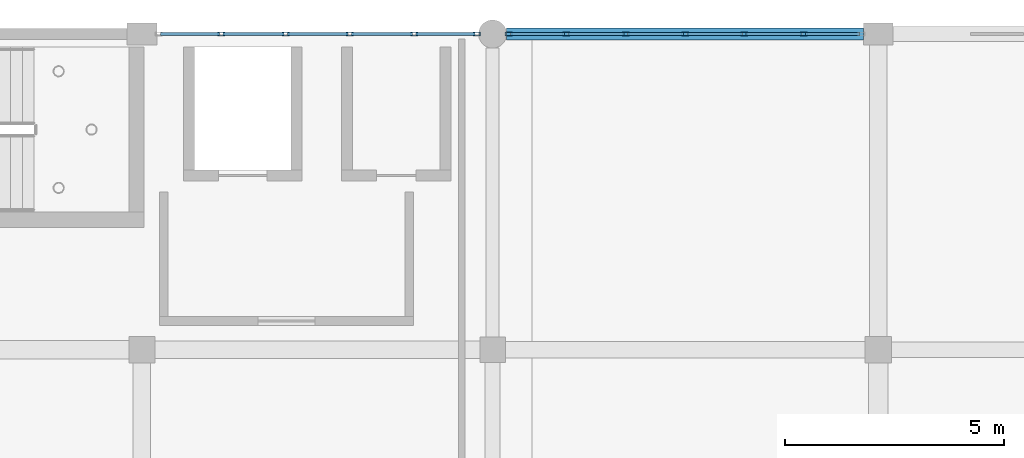
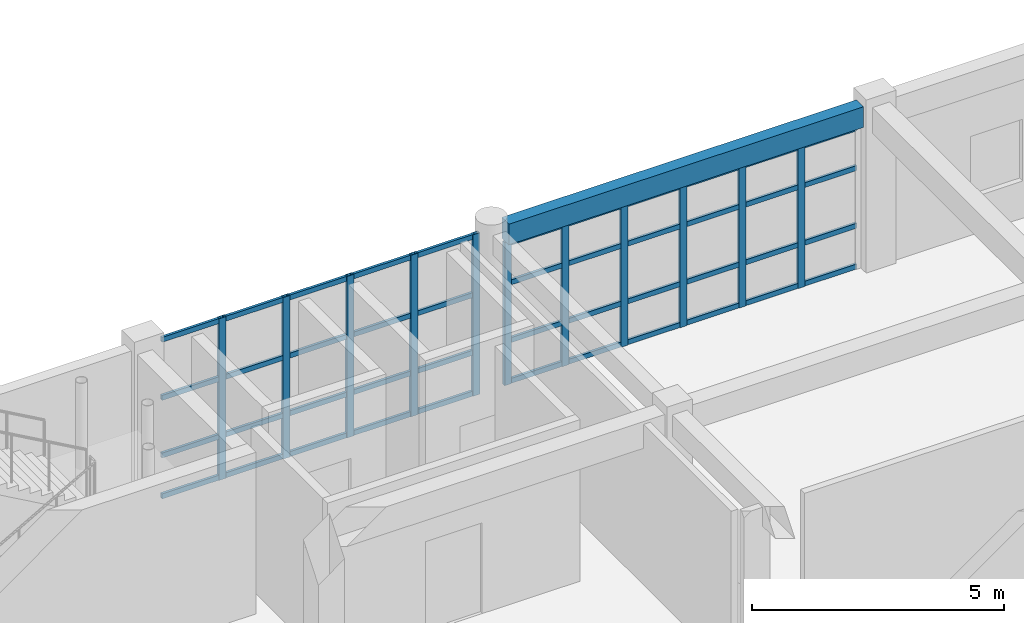
# One storey, part 15 of 53: 55 members, 1 beam, 2 elements without a shape of their own.
"""IFC4 building model written with IfcOpenShell, lengths in metres."""

from ifc_helpers import new_model, si_unit, direction, frame, origin, origin_2d, place, context, subcontext, project, spatial, rectangle, hollow_rectangle, extrude, material, material_profile, profile_set, type_object, element, aggregate, save


model = new_model("IFC4")

# Units and contexts
model_context = context("Model", 3, precision=1e-05, world=origin(), true_north=direction((0.0, 1.0)))
body_context = subcontext(model_context, "Body", "Model", "MODEL_VIEW")
ifc_project = project(units=[si_unit("LENGTHUNIT", "METRE"), si_unit("AREAUNIT", "SQUARE_METRE"), si_unit("VOLUMEUNIT", "CUBIC_METRE"), si_unit("PLANEANGLEUNIT", "RADIAN"), si_unit("MASSUNIT", "GRAM", prefix="KILO")], contexts=[model_context])

# Site, building, storey
site_placement = place(None, origin())
site = spatial("IfcSite", under=ifc_project, at=site_placement, CompositionType="ELEMENT")
building_placement = place(site_placement, origin())
building = spatial("IfcBuilding", under=site, at=building_placement, Name="Kharva Crest Polytechnic", CompositionType="ELEMENT")
storey_placement = place(building_placement, frame((0.0, 0.0, 17.39990234375)))
storey = spatial("IfcBuildingStorey", under=building, at=storey_placement, Name="L04", CompositionType="ELEMENT", Elevation=17.39990234375)

# Curtain wall, members
ifc_material_1 = material(Name="Tempered insulated glass", Category="glass")
curtain_wall_type = type_object("IfcCurtainWallType", Name="CW-SYS-STUDIO", PredefinedType="USERDEFINED", material=ifc_material_1)
curtain_wall_1_placement = place(storey_placement, origin())
curtain_wall_1 = element("IfcCurtainWall", 1, at=curtain_wall_1_placement, inside=storey, type_object=curtain_wall_type, Name="L04 Glazed Curtain Wall CW-176", ObjectType="CURTAIN WALL", PredefinedType="USERDEFINED")
ifc_material_2 = material(Name="Steel S355", Category="steel")
ifc_material_profile_1 = material_profile(ifc_material_2, hollow_rectangle(XDim=0.080078125, YDim=0.159912109375, WallThickness=0.0048828125, at=origin_2d()), Name="RHS 160X80X5.0")
ifc_profile_set_1 = profile_set([ifc_material_profile_1], Name="Steel S355")
member_type_1 = type_object("IfcMemberType", Name="CWM-RHS160X80", PredefinedType="MULLION", material=ifc_profile_set_1)
member_1_placement = place(storey_placement, frame((127.10009765625, 122.0, 0.0), z_axis=(0.0, 0.0, 1.0), x_axis=(0.0, -1.0, 0.0)))
member_1 = element("IfcMember", 2, at=member_1_placement, type_object=member_type_1, Name="CW-176 mullion 2", PredefinedType="MULLION", context=body_context, shape_type="SweptSolid", body=[
    extrude(hollow_rectangle(XDim=0.080078125, YDim=0.159912109375, WallThickness=0.0048828125, at=origin_2d()), origin(), (0.0, 0.0, 1.0), 3.47021484375),
])
member_2_placement = place(storey_placement, frame((125.7451171875, 122.0, 0.0), z_axis=(0.0, 0.0, 1.0), x_axis=(0.0, -1.0, 0.0)))
member_2 = element("IfcMember", 3, at=member_2_placement, type_object=member_type_1, Name="CW-176 mullion 3", PredefinedType="MULLION", context=body_context, shape_type="SweptSolid", body=[
    extrude(hollow_rectangle(XDim=0.080078125, YDim=0.159912109375, WallThickness=0.0048828125, at=origin_2d()), origin(), (0.0, 0.0, 1.0), 3.47021484375),
])
member_3_placement = place(storey_placement, frame((124.389892578125, 122.0, 0.0), z_axis=(0.0, 0.0, 1.0), x_axis=(0.0, -1.0, 0.0)))
member_3 = element("IfcMember", 4, at=member_3_placement, type_object=member_type_1, Name="CW-176 mullion 4", PredefinedType="MULLION", context=body_context, shape_type="SweptSolid", body=[
    extrude(hollow_rectangle(XDim=0.080078125, YDim=0.159912109375, WallThickness=0.0048828125, at=origin_2d()), origin(), (0.0, 0.0, 1.0), 3.47021484375),
])
member_4_placement = place(storey_placement, frame((123.034912109375, 122.0, 0.0), z_axis=(0.0, 0.0, 1.0), x_axis=(0.0, -1.0, 0.0)))
member_4 = element("IfcMember", 5, at=member_4_placement, type_object=member_type_1, Name="CW-176 mullion 5", PredefinedType="MULLION", context=body_context, shape_type="SweptSolid", body=[
    extrude(hollow_rectangle(XDim=0.080078125, YDim=0.159912109375, WallThickness=0.0048828125, at=origin_2d()), origin(), (0.0, 0.0, 1.0), 3.47021484375),
])
member_5_placement = place(storey_placement, frame((121.679931640625, 122.0, 0.0), z_axis=(0.0, 0.0, 1.0), x_axis=(0.0, -1.0, 0.0)))
member_5 = element("IfcMember", 6, at=member_5_placement, type_object=member_type_1, Name="CW-176 mullion 6", PredefinedType="MULLION", context=body_context, shape_type="SweptSolid", body=[
    extrude(hollow_rectangle(XDim=0.080078125, YDim=0.159912109375, WallThickness=0.0048828125, at=origin_2d()), origin(), (0.0, 0.0, 1.0), 3.47021484375),
])
member_6_placement = place(storey_placement, frame((120.364990234375, 122.0, 0.0), z_axis=(0.0, 0.0, 1.0), x_axis=(0.0, -1.0, 0.0)))
member_6 = element("IfcMember", 7, at=member_6_placement, type_object=member_type_1, Name="CW-176 mullion 7", PredefinedType="MULLION", context=body_context, shape_type="SweptSolid", body=[
    extrude(hollow_rectangle(XDim=0.080078125, YDim=0.159912109375, WallThickness=0.0048828125, at=origin_2d()), origin(), (0.0, 0.0, 1.0), 3.47021484375),
])

curtain_wall_2_placement = place(storey_placement, origin())
curtain_wall_2 = element("IfcCurtainWall", 8, at=curtain_wall_2_placement, inside=storey, type_object=curtain_wall_type, Name="L04 Glazed Curtain Wall CW-177", ObjectType="CURTAIN WALL", PredefinedType="USERDEFINED")
member_7_placement = place(storey_placement, frame((119.635009765625, 122.0, 0.0), z_axis=(0.0, 0.0, 1.0), x_axis=(0.0, -1.0, 0.0)))
member_7 = element("IfcMember", 9, at=member_7_placement, type_object=member_type_1, Name="CW-177 mullion 1", PredefinedType="MULLION", context=body_context, shape_type="SweptSolid", body=[
    extrude(hollow_rectangle(XDim=0.080078125, YDim=0.159912109375, WallThickness=0.0048828125, at=origin_2d()), origin(), (0.0, 0.0, 1.0), 3.920166015625),
])
member_8_placement = place(storey_placement, frame((118.208984375, 122.0, 0.0), z_axis=(0.0, 0.0, 1.0), x_axis=(0.0, -1.0, 0.0)))
member_8 = element("IfcMember", 10, at=member_8_placement, type_object=member_type_1, Name="CW-177 mullion 2", PredefinedType="MULLION", context=body_context, shape_type="SweptSolid", body=[
    extrude(hollow_rectangle(XDim=0.080078125, YDim=0.159912109375, WallThickness=0.0048828125, at=origin_2d()), origin(), (0.0, 0.0, 1.0), 3.920166015625),
])
member_9_placement = place(storey_placement, frame((116.742919921875, 122.0, 0.0), z_axis=(0.0, 0.0, 1.0), x_axis=(0.0, -1.0, 0.0)))
member_9 = element("IfcMember", 11, at=member_9_placement, type_object=member_type_1, Name="CW-177 mullion 3", PredefinedType="MULLION", context=body_context, shape_type="SweptSolid", body=[
    extrude(hollow_rectangle(XDim=0.080078125, YDim=0.159912109375, WallThickness=0.0048828125, at=origin_2d()), origin(), (0.0, 0.0, 1.0), 3.920166015625),
])
member_10_placement = place(storey_placement, frame((115.277099609375, 122.0, 0.0), z_axis=(0.0, 0.0, 1.0), x_axis=(0.0, -1.0, 0.0)))
member_10 = element("IfcMember", 12, at=member_10_placement, type_object=member_type_1, Name="CW-177 mullion 4", PredefinedType="MULLION", context=body_context, shape_type="SweptSolid", body=[
    extrude(hollow_rectangle(XDim=0.080078125, YDim=0.159912109375, WallThickness=0.0048828125, at=origin_2d()), origin(), (0.0, 0.0, 1.0), 3.920166015625),
])
member_11_placement = place(storey_placement, frame((113.81103515625, 122.0, 0.0), z_axis=(0.0, 0.0, 1.0), x_axis=(0.0, -1.0, 0.0)))
member_11 = element("IfcMember", 13, at=member_11_placement, type_object=member_type_1, Name="CW-177 mullion 5", PredefinedType="MULLION", context=body_context, shape_type="SweptSolid", body=[
    extrude(hollow_rectangle(XDim=0.080078125, YDim=0.159912109375, WallThickness=0.0048828125, at=origin_2d()), origin(), (0.0, 0.0, 1.0), 3.920166015625),
])

# Member
ifc_material_profile_2 = material_profile(ifc_material_2, hollow_rectangle(XDim=0.06005859375, YDim=0.1201171875, WallThickness=0.00390625, at=origin_2d()), Name="RHS 120X60X4.0")
ifc_profile_set_2 = profile_set([ifc_material_profile_2], Name="Steel S355")
member_type_2 = type_object("IfcMemberType", Name="CWT-RHS120X60", PredefinedType="USERDEFINED", material=ifc_profile_set_2)
member_12_placement = place(storey_placement, frame((128.375, 122.0, 0.06005859375), z_axis=(-1.0, 0.0, 0.0), x_axis=(0.0, -1.0, 0.0)))
member_12 = element("IfcMember", 14, at=member_12_placement, type_object=member_type_2, Name="CW-176 transom 1.1", ObjectType="TRANSOM", PredefinedType="USERDEFINED", context=body_context, shape_type="SweptSolid", body=[
    extrude(hollow_rectangle(XDim=0.06005859375, YDim=0.1201171875, WallThickness=0.00390625, at=origin_2d()), origin(), (0.0, 0.0, 1.0), 1.235107421875),
])

member_13_placement = place(storey_placement, frame((128.375, 122.0, 1.050048828125), z_axis=(-1.0, 0.0, 0.0), x_axis=(0.0, -1.0, 0.0)))
member_13 = element("IfcMember", 15, at=member_13_placement, type_object=member_type_2, Name="CW-176 transom 1.2", ObjectType="TRANSOM", PredefinedType="USERDEFINED", context=body_context, shape_type="SweptSolid", body=[
    extrude(hollow_rectangle(XDim=0.06005859375, YDim=0.1201171875, WallThickness=0.00390625, at=origin_2d()), origin(), (0.0, 0.0, 1.0), 1.235107421875),
])

member_14_placement = place(storey_placement, frame((128.375, 122.0, 2.4501953125), z_axis=(-1.0, 0.0, 0.0), x_axis=(0.0, -1.0, 0.0)))
member_14 = element("IfcMember", 16, at=member_14_placement, type_object=member_type_2, Name="CW-176 transom 1.3", ObjectType="TRANSOM", PredefinedType="USERDEFINED", context=body_context, shape_type="SweptSolid", body=[
    extrude(hollow_rectangle(XDim=0.06005859375, YDim=0.1201171875, WallThickness=0.00390625, at=origin_2d()), origin(), (0.0, 0.0, 1.0), 1.235107421875),
])

member_15_placement = place(storey_placement, frame((128.375, 122.0, 3.41015625), z_axis=(-1.0, 0.0, 0.0), x_axis=(0.0, -1.0, 0.0)))
member_15 = element("IfcMember", 17, at=member_15_placement, type_object=member_type_2, Name="CW-176 transom 1.4", ObjectType="TRANSOM", PredefinedType="USERDEFINED", context=body_context, shape_type="SweptSolid", body=[
    extrude(hollow_rectangle(XDim=0.06005859375, YDim=0.1201171875, WallThickness=0.00390625, at=origin_2d()), origin(), (0.0, 0.0, 1.0), 1.235107421875),
])

member_16_placement = place(storey_placement, frame((127.06005859375, 122.0, 0.06005859375), z_axis=(-1.0, 0.0, 0.0), x_axis=(0.0, -1.0, 0.0)))
member_16 = element("IfcMember", 18, at=member_16_placement, type_object=member_type_2, Name="CW-176 transom 2.1", ObjectType="TRANSOM", PredefinedType="USERDEFINED", context=body_context, shape_type="SweptSolid", body=[
    extrude(hollow_rectangle(XDim=0.06005859375, YDim=0.1201171875, WallThickness=0.00390625, at=origin_2d()), origin(), (0.0, 0.0, 1.0), 1.275146484375),
])

member_17_placement = place(storey_placement, frame((127.06005859375, 122.0, 1.050048828125), z_axis=(-1.0, 0.0, 0.0), x_axis=(0.0, -1.0, 0.0)))
member_17 = element("IfcMember", 19, at=member_17_placement, type_object=member_type_2, Name="CW-176 transom 2.2", ObjectType="TRANSOM", PredefinedType="USERDEFINED", context=body_context, shape_type="SweptSolid", body=[
    extrude(hollow_rectangle(XDim=0.06005859375, YDim=0.1201171875, WallThickness=0.00390625, at=origin_2d()), origin(), (0.0, 0.0, 1.0), 1.275146484375),
])

member_18_placement = place(storey_placement, frame((127.06005859375, 122.0, 2.4501953125), z_axis=(-1.0, 0.0, 0.0), x_axis=(0.0, -1.0, 0.0)))
member_18 = element("IfcMember", 20, at=member_18_placement, type_object=member_type_2, Name="CW-176 transom 2.3", ObjectType="TRANSOM", PredefinedType="USERDEFINED", context=body_context, shape_type="SweptSolid", body=[
    extrude(hollow_rectangle(XDim=0.06005859375, YDim=0.1201171875, WallThickness=0.00390625, at=origin_2d()), origin(), (0.0, 0.0, 1.0), 1.275146484375),
])

member_19_placement = place(storey_placement, frame((127.06005859375, 122.0, 3.41015625), z_axis=(-1.0, 0.0, 0.0), x_axis=(0.0, -1.0, 0.0)))
member_19 = element("IfcMember", 21, at=member_19_placement, type_object=member_type_2, Name="CW-176 transom 2.4", ObjectType="TRANSOM", PredefinedType="USERDEFINED", context=body_context, shape_type="SweptSolid", body=[
    extrude(hollow_rectangle(XDim=0.06005859375, YDim=0.1201171875, WallThickness=0.00390625, at=origin_2d()), origin(), (0.0, 0.0, 1.0), 1.275146484375),
])

member_20_placement = place(storey_placement, frame((125.705078125, 122.0, 0.06005859375), z_axis=(-1.0, 0.0, 0.0), x_axis=(0.0, -1.0, 0.0)))
member_20 = element("IfcMember", 22, at=member_20_placement, type_object=member_type_2, Name="CW-176 transom 3.1", ObjectType="TRANSOM", PredefinedType="USERDEFINED", context=body_context, shape_type="SweptSolid", body=[
    extrude(hollow_rectangle(XDim=0.06005859375, YDim=0.1201171875, WallThickness=0.00390625, at=origin_2d()), origin(), (0.0, 0.0, 1.0), 1.275146484375),
])

member_21_placement = place(storey_placement, frame((125.705078125, 122.0, 1.050048828125), z_axis=(-1.0, 0.0, 0.0), x_axis=(0.0, -1.0, 0.0)))
member_21 = element("IfcMember", 23, at=member_21_placement, type_object=member_type_2, Name="CW-176 transom 3.2", ObjectType="TRANSOM", PredefinedType="USERDEFINED", context=body_context, shape_type="SweptSolid", body=[
    extrude(hollow_rectangle(XDim=0.06005859375, YDim=0.1201171875, WallThickness=0.00390625, at=origin_2d()), origin(), (0.0, 0.0, 1.0), 1.275146484375),
])

member_22_placement = place(storey_placement, frame((125.705078125, 122.0, 2.4501953125), z_axis=(-1.0, 0.0, 0.0), x_axis=(0.0, -1.0, 0.0)))
member_22 = element("IfcMember", 24, at=member_22_placement, type_object=member_type_2, Name="CW-176 transom 3.3", ObjectType="TRANSOM", PredefinedType="USERDEFINED", context=body_context, shape_type="SweptSolid", body=[
    extrude(hollow_rectangle(XDim=0.06005859375, YDim=0.1201171875, WallThickness=0.00390625, at=origin_2d()), origin(), (0.0, 0.0, 1.0), 1.275146484375),
])

member_23_placement = place(storey_placement, frame((125.705078125, 122.0, 3.41015625), z_axis=(-1.0, 0.0, 0.0), x_axis=(0.0, -1.0, 0.0)))
member_23 = element("IfcMember", 25, at=member_23_placement, type_object=member_type_2, Name="CW-176 transom 3.4", ObjectType="TRANSOM", PredefinedType="USERDEFINED", context=body_context, shape_type="SweptSolid", body=[
    extrude(hollow_rectangle(XDim=0.06005859375, YDim=0.1201171875, WallThickness=0.00390625, at=origin_2d()), origin(), (0.0, 0.0, 1.0), 1.275146484375),
])

member_24_placement = place(storey_placement, frame((124.35009765625, 122.0, 0.06005859375), z_axis=(-1.0, 0.0, 0.0), x_axis=(0.0, -1.0, 0.0)))
member_24 = element("IfcMember", 26, at=member_24_placement, type_object=member_type_2, Name="CW-176 transom 4.1", ObjectType="TRANSOM", PredefinedType="USERDEFINED", context=body_context, shape_type="SweptSolid", body=[
    extrude(hollow_rectangle(XDim=0.06005859375, YDim=0.1201171875, WallThickness=0.00390625, at=origin_2d()), origin(), (0.0, 0.0, 1.0), 1.275146484375),
])

member_25_placement = place(storey_placement, frame((124.35009765625, 122.0, 1.050048828125), z_axis=(-1.0, 0.0, 0.0), x_axis=(0.0, -1.0, 0.0)))
member_25 = element("IfcMember", 27, at=member_25_placement, type_object=member_type_2, Name="CW-176 transom 4.2", ObjectType="TRANSOM", PredefinedType="USERDEFINED", context=body_context, shape_type="SweptSolid", body=[
    extrude(hollow_rectangle(XDim=0.06005859375, YDim=0.1201171875, WallThickness=0.00390625, at=origin_2d()), origin(), (0.0, 0.0, 1.0), 1.275146484375),
])

member_26_placement = place(storey_placement, frame((124.35009765625, 122.0, 2.4501953125), z_axis=(-1.0, 0.0, 0.0), x_axis=(0.0, -1.0, 0.0)))
member_26 = element("IfcMember", 28, at=member_26_placement, type_object=member_type_2, Name="CW-176 transom 4.3", ObjectType="TRANSOM", PredefinedType="USERDEFINED", context=body_context, shape_type="SweptSolid", body=[
    extrude(hollow_rectangle(XDim=0.06005859375, YDim=0.1201171875, WallThickness=0.00390625, at=origin_2d()), origin(), (0.0, 0.0, 1.0), 1.275146484375),
])

member_27_placement = place(storey_placement, frame((124.35009765625, 122.0, 3.41015625), z_axis=(-1.0, 0.0, 0.0), x_axis=(0.0, -1.0, 0.0)))
member_27 = element("IfcMember", 29, at=member_27_placement, type_object=member_type_2, Name="CW-176 transom 4.4", ObjectType="TRANSOM", PredefinedType="USERDEFINED", context=body_context, shape_type="SweptSolid", body=[
    extrude(hollow_rectangle(XDim=0.06005859375, YDim=0.1201171875, WallThickness=0.00390625, at=origin_2d()), origin(), (0.0, 0.0, 1.0), 1.275146484375),
])

member_28_placement = place(storey_placement, frame((122.9951171875, 122.0, 0.06005859375), z_axis=(-1.0, 0.0, 0.0), x_axis=(0.0, -1.0, 0.0)))
member_28 = element("IfcMember", 30, at=member_28_placement, type_object=member_type_2, Name="CW-176 transom 5.1", ObjectType="TRANSOM", PredefinedType="USERDEFINED", context=body_context, shape_type="SweptSolid", body=[
    extrude(hollow_rectangle(XDim=0.06005859375, YDim=0.1201171875, WallThickness=0.00390625, at=origin_2d()), origin(), (0.0, 0.0, 1.0), 1.275146484375),
])

member_29_placement = place(storey_placement, frame((122.9951171875, 122.0, 1.050048828125), z_axis=(-1.0, 0.0, 0.0), x_axis=(0.0, -1.0, 0.0)))
member_29 = element("IfcMember", 31, at=member_29_placement, type_object=member_type_2, Name="CW-176 transom 5.2", ObjectType="TRANSOM", PredefinedType="USERDEFINED", context=body_context, shape_type="SweptSolid", body=[
    extrude(hollow_rectangle(XDim=0.06005859375, YDim=0.1201171875, WallThickness=0.00390625, at=origin_2d()), origin(), (0.0, 0.0, 1.0), 1.275146484375),
])

member_30_placement = place(storey_placement, frame((122.9951171875, 122.0, 2.4501953125), z_axis=(-1.0, 0.0, 0.0), x_axis=(0.0, -1.0, 0.0)))
member_30 = element("IfcMember", 32, at=member_30_placement, type_object=member_type_2, Name="CW-176 transom 5.3", ObjectType="TRANSOM", PredefinedType="USERDEFINED", context=body_context, shape_type="SweptSolid", body=[
    extrude(hollow_rectangle(XDim=0.06005859375, YDim=0.1201171875, WallThickness=0.00390625, at=origin_2d()), origin(), (0.0, 0.0, 1.0), 1.275146484375),
])

member_31_placement = place(storey_placement, frame((122.9951171875, 122.0, 3.41015625), z_axis=(-1.0, 0.0, 0.0), x_axis=(0.0, -1.0, 0.0)))
member_31 = element("IfcMember", 33, at=member_31_placement, type_object=member_type_2, Name="CW-176 transom 5.4", ObjectType="TRANSOM", PredefinedType="USERDEFINED", context=body_context, shape_type="SweptSolid", body=[
    extrude(hollow_rectangle(XDim=0.06005859375, YDim=0.1201171875, WallThickness=0.00390625, at=origin_2d()), origin(), (0.0, 0.0, 1.0), 1.275146484375),
])

member_32_placement = place(storey_placement, frame((121.639892578125, 122.0, 0.06005859375), z_axis=(-1.0, 0.0, 0.0), x_axis=(0.0, -1.0, 0.0)))
member_32 = element("IfcMember", 34, at=member_32_placement, type_object=member_type_2, Name="CW-176 transom 6.1", ObjectType="TRANSOM", PredefinedType="USERDEFINED", context=body_context, shape_type="SweptSolid", body=[
    extrude(hollow_rectangle(XDim=0.06005859375, YDim=0.1201171875, WallThickness=0.00390625, at=origin_2d()), origin(), (0.0, 0.0, 1.0), 1.23486328125),
])

member_33_placement = place(storey_placement, frame((121.639892578125, 122.0, 1.050048828125), z_axis=(-1.0, 0.0, 0.0), x_axis=(0.0, -1.0, 0.0)))
member_33 = element("IfcMember", 35, at=member_33_placement, type_object=member_type_2, Name="CW-176 transom 6.2", ObjectType="TRANSOM", PredefinedType="USERDEFINED", context=body_context, shape_type="SweptSolid", body=[
    extrude(hollow_rectangle(XDim=0.06005859375, YDim=0.1201171875, WallThickness=0.00390625, at=origin_2d()), origin(), (0.0, 0.0, 1.0), 1.23486328125),
])

member_34_placement = place(storey_placement, frame((121.639892578125, 122.0, 2.4501953125), z_axis=(-1.0, 0.0, 0.0), x_axis=(0.0, -1.0, 0.0)))
member_34 = element("IfcMember", 36, at=member_34_placement, type_object=member_type_2, Name="CW-176 transom 6.3", ObjectType="TRANSOM", PredefinedType="USERDEFINED", context=body_context, shape_type="SweptSolid", body=[
    extrude(hollow_rectangle(XDim=0.06005859375, YDim=0.1201171875, WallThickness=0.00390625, at=origin_2d()), origin(), (0.0, 0.0, 1.0), 1.23486328125),
])

member_35_placement = place(storey_placement, frame((121.639892578125, 122.0, 3.41015625), z_axis=(-1.0, 0.0, 0.0), x_axis=(0.0, -1.0, 0.0)))
member_35 = element("IfcMember", 37, at=member_35_placement, type_object=member_type_2, Name="CW-176 transom 6.4", ObjectType="TRANSOM", PredefinedType="USERDEFINED", context=body_context, shape_type="SweptSolid", body=[
    extrude(hollow_rectangle(XDim=0.06005859375, YDim=0.1201171875, WallThickness=0.00390625, at=origin_2d()), origin(), (0.0, 0.0, 1.0), 1.23486328125),
])

aggregate(curtain_wall_1, [member_1, member_2, member_3, member_4, member_5, member_6, member_12, member_13, member_14, member_15, member_16, member_17, member_18, member_19, member_20, member_21, member_22, member_23, member_24, member_25, member_26, member_27, member_28, member_29, member_30, member_31, member_32, member_33, member_34, member_35])

member_36_placement = place(storey_placement, frame((119.594970703125, 122.0, 0.06005859375), z_axis=(-1.0, 0.0, 0.0), x_axis=(0.0, -1.0, 0.0)))
member_36 = element("IfcMember", 38, at=member_36_placement, type_object=member_type_2, Name="CW-177 transom 1.1", ObjectType="TRANSOM", PredefinedType="USERDEFINED", context=body_context, shape_type="SweptSolid", body=[
    extrude(hollow_rectangle(XDim=0.06005859375, YDim=0.1201171875, WallThickness=0.00390625, at=origin_2d()), origin(), (0.0, 0.0, 1.0), 1.345947265625),
])

member_37_placement = place(storey_placement, frame((119.594970703125, 122.0, 1.050048828125), z_axis=(-1.0, 0.0, 0.0), x_axis=(0.0, -1.0, 0.0)))
member_37 = element("IfcMember", 39, at=member_37_placement, type_object=member_type_2, Name="CW-177 transom 1.2", ObjectType="TRANSOM", PredefinedType="USERDEFINED", context=body_context, shape_type="SweptSolid", body=[
    extrude(hollow_rectangle(XDim=0.06005859375, YDim=0.1201171875, WallThickness=0.00390625, at=origin_2d()), origin(), (0.0, 0.0, 1.0), 1.345947265625),
])

member_38_placement = place(storey_placement, frame((119.594970703125, 122.0, 2.4501953125), z_axis=(-1.0, 0.0, 0.0), x_axis=(0.0, -1.0, 0.0)))
member_38 = element("IfcMember", 40, at=member_38_placement, type_object=member_type_2, Name="CW-177 transom 1.3", ObjectType="TRANSOM", PredefinedType="USERDEFINED", context=body_context, shape_type="SweptSolid", body=[
    extrude(hollow_rectangle(XDim=0.06005859375, YDim=0.1201171875, WallThickness=0.00390625, at=origin_2d()), origin(), (0.0, 0.0, 1.0), 1.345947265625),
])

member_39_placement = place(storey_placement, frame((119.594970703125, 122.0, 3.860107421875), z_axis=(-1.0, 0.0, 0.0), x_axis=(0.0, -1.0, 0.0)))
member_39 = element("IfcMember", 41, at=member_39_placement, type_object=member_type_2, Name="CW-177 transom 1.4", ObjectType="TRANSOM", PredefinedType="USERDEFINED", context=body_context, shape_type="SweptSolid", body=[
    extrude(hollow_rectangle(XDim=0.06005859375, YDim=0.1201171875, WallThickness=0.00390625, at=origin_2d()), origin(), (0.0, 0.0, 1.0), 1.345947265625),
])

member_40_placement = place(storey_placement, frame((118.1689453125, 122.0, 0.06005859375), z_axis=(-1.0, 0.0, 0.0), x_axis=(0.0, -1.0, 0.0)))
member_40 = element("IfcMember", 42, at=member_40_placement, type_object=member_type_2, Name="CW-177 transom 2.1", ObjectType="TRANSOM", PredefinedType="USERDEFINED", context=body_context, shape_type="SweptSolid", body=[
    extrude(hollow_rectangle(XDim=0.06005859375, YDim=0.1201171875, WallThickness=0.00390625, at=origin_2d()), origin(), (0.0, 0.0, 1.0), 1.385986328125),
])

member_41_placement = place(storey_placement, frame((118.1689453125, 122.0, 1.050048828125), z_axis=(-1.0, 0.0, 0.0), x_axis=(0.0, -1.0, 0.0)))
member_41 = element("IfcMember", 43, at=member_41_placement, type_object=member_type_2, Name="CW-177 transom 2.2", ObjectType="TRANSOM", PredefinedType="USERDEFINED", context=body_context, shape_type="SweptSolid", body=[
    extrude(hollow_rectangle(XDim=0.06005859375, YDim=0.1201171875, WallThickness=0.00390625, at=origin_2d()), origin(), (0.0, 0.0, 1.0), 1.385986328125),
])

member_42_placement = place(storey_placement, frame((118.1689453125, 122.0, 2.4501953125), z_axis=(-1.0, 0.0, 0.0), x_axis=(0.0, -1.0, 0.0)))
member_42 = element("IfcMember", 44, at=member_42_placement, type_object=member_type_2, Name="CW-177 transom 2.3", ObjectType="TRANSOM", PredefinedType="USERDEFINED", context=body_context, shape_type="SweptSolid", body=[
    extrude(hollow_rectangle(XDim=0.06005859375, YDim=0.1201171875, WallThickness=0.00390625, at=origin_2d()), origin(), (0.0, 0.0, 1.0), 1.385986328125),
])

member_43_placement = place(storey_placement, frame((118.1689453125, 122.0, 3.860107421875), z_axis=(-1.0, 0.0, 0.0), x_axis=(0.0, -1.0, 0.0)))
member_43 = element("IfcMember", 45, at=member_43_placement, type_object=member_type_2, Name="CW-177 transom 2.4", ObjectType="TRANSOM", PredefinedType="USERDEFINED", context=body_context, shape_type="SweptSolid", body=[
    extrude(hollow_rectangle(XDim=0.06005859375, YDim=0.1201171875, WallThickness=0.00390625, at=origin_2d()), origin(), (0.0, 0.0, 1.0), 1.385986328125),
])

member_44_placement = place(storey_placement, frame((116.702880859375, 122.0, 0.06005859375), z_axis=(-1.0, 0.0, 0.0), x_axis=(0.0, -1.0, 0.0)))
member_44 = element("IfcMember", 46, at=member_44_placement, type_object=member_type_2, Name="CW-177 transom 3.1", ObjectType="TRANSOM", PredefinedType="USERDEFINED", context=body_context, shape_type="SweptSolid", body=[
    extrude(hollow_rectangle(XDim=0.06005859375, YDim=0.1201171875, WallThickness=0.00390625, at=origin_2d()), origin(), (0.0, 0.0, 1.0), 1.385986328125),
])

member_45_placement = place(storey_placement, frame((116.702880859375, 122.0, 1.050048828125), z_axis=(-1.0, 0.0, 0.0), x_axis=(0.0, -1.0, 0.0)))
member_45 = element("IfcMember", 47, at=member_45_placement, type_object=member_type_2, Name="CW-177 transom 3.2", ObjectType="TRANSOM", PredefinedType="USERDEFINED", context=body_context, shape_type="SweptSolid", body=[
    extrude(hollow_rectangle(XDim=0.06005859375, YDim=0.1201171875, WallThickness=0.00390625, at=origin_2d()), origin(), (0.0, 0.0, 1.0), 1.385986328125),
])

member_46_placement = place(storey_placement, frame((116.702880859375, 122.0, 2.4501953125), z_axis=(-1.0, 0.0, 0.0), x_axis=(0.0, -1.0, 0.0)))
member_46 = element("IfcMember", 48, at=member_46_placement, type_object=member_type_2, Name="CW-177 transom 3.3", ObjectType="TRANSOM", PredefinedType="USERDEFINED", context=body_context, shape_type="SweptSolid", body=[
    extrude(hollow_rectangle(XDim=0.06005859375, YDim=0.1201171875, WallThickness=0.00390625, at=origin_2d()), origin(), (0.0, 0.0, 1.0), 1.385986328125),
])

member_47_placement = place(storey_placement, frame((116.702880859375, 122.0, 3.860107421875), z_axis=(-1.0, 0.0, 0.0), x_axis=(0.0, -1.0, 0.0)))
member_47 = element("IfcMember", 49, at=member_47_placement, type_object=member_type_2, Name="CW-177 transom 3.4", ObjectType="TRANSOM", PredefinedType="USERDEFINED", context=body_context, shape_type="SweptSolid", body=[
    extrude(hollow_rectangle(XDim=0.06005859375, YDim=0.1201171875, WallThickness=0.00390625, at=origin_2d()), origin(), (0.0, 0.0, 1.0), 1.385986328125),
])

member_48_placement = place(storey_placement, frame((115.237060546875, 122.0, 0.06005859375), z_axis=(-1.0, 0.0, 0.0), x_axis=(0.0, -1.0, 0.0)))
member_48 = element("IfcMember", 50, at=member_48_placement, type_object=member_type_2, Name="CW-177 transom 4.1", ObjectType="TRANSOM", PredefinedType="USERDEFINED", context=body_context, shape_type="SweptSolid", body=[
    extrude(hollow_rectangle(XDim=0.06005859375, YDim=0.1201171875, WallThickness=0.00390625, at=origin_2d()), origin(), (0.0, 0.0, 1.0), 1.385986328125),
])

member_49_placement = place(storey_placement, frame((115.237060546875, 122.0, 1.050048828125), z_axis=(-1.0, 0.0, 0.0), x_axis=(0.0, -1.0, 0.0)))
member_49 = element("IfcMember", 51, at=member_49_placement, type_object=member_type_2, Name="CW-177 transom 4.2", ObjectType="TRANSOM", PredefinedType="USERDEFINED", context=body_context, shape_type="SweptSolid", body=[
    extrude(hollow_rectangle(XDim=0.06005859375, YDim=0.1201171875, WallThickness=0.00390625, at=origin_2d()), origin(), (0.0, 0.0, 1.0), 1.385986328125),
])

member_50_placement = place(storey_placement, frame((115.237060546875, 122.0, 2.4501953125), z_axis=(-1.0, 0.0, 0.0), x_axis=(0.0, -1.0, 0.0)))
member_50 = element("IfcMember", 52, at=member_50_placement, type_object=member_type_2, Name="CW-177 transom 4.3", ObjectType="TRANSOM", PredefinedType="USERDEFINED", context=body_context, shape_type="SweptSolid", body=[
    extrude(hollow_rectangle(XDim=0.06005859375, YDim=0.1201171875, WallThickness=0.00390625, at=origin_2d()), origin(), (0.0, 0.0, 1.0), 1.385986328125),
])

member_51_placement = place(storey_placement, frame((115.237060546875, 122.0, 3.860107421875), z_axis=(-1.0, 0.0, 0.0), x_axis=(0.0, -1.0, 0.0)))
member_51 = element("IfcMember", 53, at=member_51_placement, type_object=member_type_2, Name="CW-177 transom 4.4", ObjectType="TRANSOM", PredefinedType="USERDEFINED", context=body_context, shape_type="SweptSolid", body=[
    extrude(hollow_rectangle(XDim=0.06005859375, YDim=0.1201171875, WallThickness=0.00390625, at=origin_2d()), origin(), (0.0, 0.0, 1.0), 1.385986328125),
])

member_52_placement = place(storey_placement, frame((113.77099609375, 122.0, 0.06005859375), z_axis=(-1.0, 0.0, 0.0), x_axis=(0.0, -1.0, 0.0)))
member_52 = element("IfcMember", 54, at=member_52_placement, type_object=member_type_2, Name="CW-177 transom 5.1", ObjectType="TRANSOM", PredefinedType="USERDEFINED", context=body_context, shape_type="SweptSolid", body=[
    extrude(hollow_rectangle(XDim=0.06005859375, YDim=0.1201171875, WallThickness=0.00390625, at=origin_2d()), origin(), (0.0, 0.0, 1.0), 1.345947265625),
])

member_53_placement = place(storey_placement, frame((113.77099609375, 122.0, 1.050048828125), z_axis=(-1.0, 0.0, 0.0), x_axis=(0.0, -1.0, 0.0)))
member_53 = element("IfcMember", 55, at=member_53_placement, type_object=member_type_2, Name="CW-177 transom 5.2", ObjectType="TRANSOM", PredefinedType="USERDEFINED", context=body_context, shape_type="SweptSolid", body=[
    extrude(hollow_rectangle(XDim=0.06005859375, YDim=0.1201171875, WallThickness=0.00390625, at=origin_2d()), origin(), (0.0, 0.0, 1.0), 1.345947265625),
])

member_54_placement = place(storey_placement, frame((113.77099609375, 122.0, 2.4501953125), z_axis=(-1.0, 0.0, 0.0), x_axis=(0.0, -1.0, 0.0)))
member_54 = element("IfcMember", 56, at=member_54_placement, type_object=member_type_2, Name="CW-177 transom 5.3", ObjectType="TRANSOM", PredefinedType="USERDEFINED", context=body_context, shape_type="SweptSolid", body=[
    extrude(hollow_rectangle(XDim=0.06005859375, YDim=0.1201171875, WallThickness=0.00390625, at=origin_2d()), origin(), (0.0, 0.0, 1.0), 1.345947265625),
])

member_55_placement = place(storey_placement, frame((113.77099609375, 122.0, 3.860107421875), z_axis=(-1.0, 0.0, 0.0), x_axis=(0.0, -1.0, 0.0)))
member_55 = element("IfcMember", 57, at=member_55_placement, type_object=member_type_2, Name="CW-177 transom 5.4", ObjectType="TRANSOM", PredefinedType="USERDEFINED", context=body_context, shape_type="SweptSolid", body=[
    extrude(hollow_rectangle(XDim=0.06005859375, YDim=0.1201171875, WallThickness=0.00390625, at=origin_2d()), origin(), (0.0, 0.0, 1.0), 1.345947265625),
])

aggregate(curtain_wall_2, [member_7, member_8, member_9, member_10, member_11, member_36, member_37, member_38, member_39, member_40, member_41, member_42, member_43, member_44, member_45, member_46, member_47, member_48, member_49, member_50, member_51, member_52, member_53, member_54, member_55])

# Beam
ifc_material_3 = material(Name="Concrete C35/45", Category="concrete")
ifc_material_profile_3 = material_profile(ifc_material_3, rectangle(XDim=0.280029296875, YDim=0.5, at=origin_2d()), Name="RECT 280 X 500")
ifc_profile_set_3 = profile_set([ifc_material_profile_3], Name="Concrete C35/45")
beam_type = type_object("IfcBeamType", Name="SP-RC-280X500", PredefinedType="SPANDREL", material=ifc_profile_set_3)
beam_placement = place(storey_placement, frame((120.320068359375, 122.0, 3.72021484375), z_axis=(1.0, 0.0, 0.0), x_axis=(0.0, 1.0, 0.0)))
element("IfcBeam", 58, at=beam_placement, inside=storey, type_object=beam_type, Name="L04 Beam S/16-17", PredefinedType="SPANDREL", context=body_context, shape_type="SweptSolid", body=[
    extrude(rectangle(XDim=0.280029296875, YDim=0.5, at=origin_2d()), origin(), (0.0, 0.0, 1.0), 8.139892578125),
])

save(model, "model.ifc")
